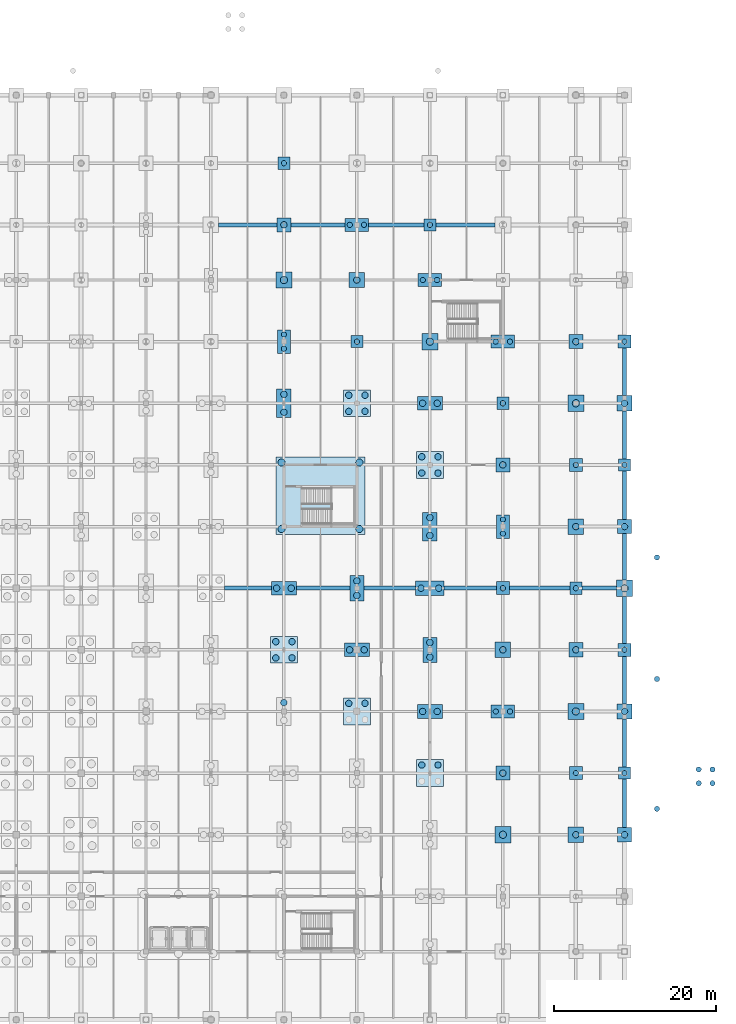
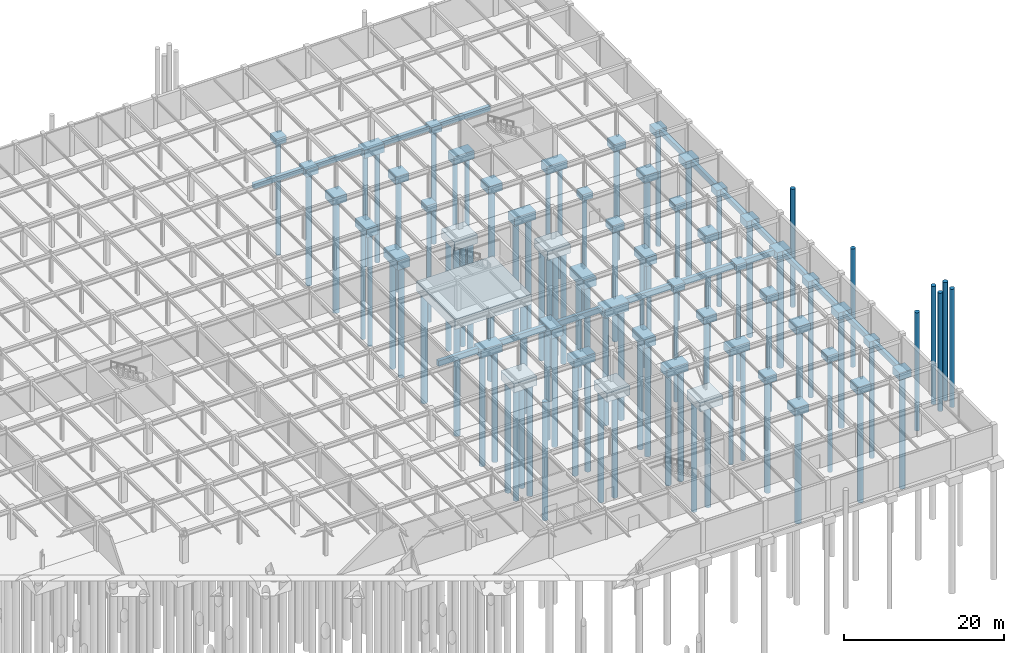
# One storey, part 7 of 53: 89 piles, 70 footings.
"""IFC4 building model written with IfcOpenShell, lengths in metres."""

from ifc_helpers import new_model, si_unit, direction, frame, origin, origin_2d, place, context, subcontext, project, spatial, rectangle, circle, extrude, material, material_profile, profile_set, type_object, element, save


model = new_model("IFC4")

# Units and contexts
model_context = context("Model", 3, precision=1e-05, world=origin(), true_north=direction((0.0, 1.0)))
body_context = subcontext(model_context, "Body", "Model", "MODEL_VIEW")
ifc_project = project(units=[si_unit("LENGTHUNIT", "METRE"), si_unit("AREAUNIT", "SQUARE_METRE"), si_unit("VOLUMEUNIT", "CUBIC_METRE"), si_unit("PLANEANGLEUNIT", "RADIAN"), si_unit("MASSUNIT", "GRAM", prefix="KILO")], contexts=[model_context])

# Site, building, storey
site_placement = place(None, origin())
site = spatial("IfcSite", under=ifc_project, at=site_placement, CompositionType="ELEMENT")
building_placement = place(site_placement, origin())
building = spatial("IfcBuilding", under=site, at=building_placement, Name="Shalkamar Park Central Library", CompositionType="ELEMENT")
storey_placement = place(building_placement, frame((0.0, 0.0, -4.800048828125)))
storey = spatial("IfcBuildingStorey", under=building, at=storey_placement, Name="B1", CompositionType="ELEMENT", Elevation=-4.800048828125)

# Piles
ifc_material = material(Name="Concrete C35/45", Category="concrete")
ifc_material_profile_1 = material_profile(ifc_material, circle(Radius=0.324951171875, at=origin_2d()), Name="PILE D650")
ifc_profile_set_1 = profile_set([ifc_material_profile_1], Name="Concrete C35/45")
pile_type_1 = type_object("IfcPileType", Name="Bored Concrete Pile D650", PredefinedType="BORED", material=ifc_profile_set_1)
for number, where, z_axis, x_axis, name in (
    (1, (246.0, 322.72509765625, -0.800048828125), (0.0, 0.0, -1.0), (1.0, 0.0, 0.0), "Bored Pile FC-17-M-P01"),
    (2, (246.0, 324.47509765625, -0.800048828125), (0.0, 0.0, -1.0), (1.0, 0.0, 0.0), "Bored Pile FC-17-M-P02"),
    (3, (246.0, 345.60009765625, -0.800048828125), (0.0, 0.0, -1.0), (1.0, 0.0, 0.0), "Bored Pile FC-17-Q-P01"),
    (4, (255.0, 323.60009765625, -0.800048828125), (0.0, 0.0, -1.0), (1.0, 0.0, 0.0), "Bored Pile FC-18-M-P01"),
    (5, (254.125, 338.0, -0.800048828125), (0.0, 0.0, -1.0), (1.0, 0.0, 0.0), "Bored Pile FC-18-P-P01"),
    (6, (255.875, 338.0, -0.800048828125), (0.0, 0.0, -1.0), (1.0, 0.0, 0.0), "Bored Pile FC-18-P-P02"),
    (7, (263.125, 331.199951171875, -0.800048828125), (0.0, 0.0, -1.0), (1.0, 0.0, 0.0), "Bored Pile FC-19-N-P01"),
    (8, (264.875, 331.199951171875, -0.800048828125), (0.0, 0.0, -1.0), (1.0, 0.0, 0.0), "Bored Pile FC-19-N-P02"),
    (9, (264.0, 338.0, -0.800048828125), (0.0, 0.0, -1.0), (1.0, 0.0, 0.0), "Bored Pile FC-19-P-P01"),
    (10, (272.125, 278.0, -0.800048828125), (0.0, 0.0, -1.0), (1.0, 0.0, 0.0), "Bored Pile FC-20-F-P01"),
    (11, (273.875, 278.0, -0.800048828125), (0.0, 0.0, -1.0), (1.0, 0.0, 0.0), "Bored Pile FC-20-F-P02"),
    (12, (273.0, 293.199951171875, -0.800048828125), (0.0, 0.0, -1.0), (1.0, 0.0, 0.0), "Bored Pile FC-20-H-P01"),
    (13, (273.0, 299.925048828125, -0.800048828125), (0.0, 0.0, -1.0), (1.0, 0.0, 0.0), "Bored Pile FC-20-J-P01"),
    (14, (273.0, 301.675048828125, -0.800048828125), (0.0, 0.0, -1.0), (1.0, 0.0, 0.0), "Bored Pile FC-20-J-P02"),
    (15, (273.0, 316.0, -0.800048828125), (0.0, 0.0, -1.0), (1.0, 0.0, 0.0), "Bored Pile FC-20-L-P01"),
    (16, (272.125, 323.60009765625, -0.800048828125), (0.0, 0.0, -1.0), (1.0, 0.0, 0.0), "Bored Pile FC-20-M-P01"),
    (17, (273.875, 323.60009765625, -0.800048828125), (0.0, 0.0, -1.0), (1.0, 0.0, 0.0), "Bored Pile FC-20-M-P02"),
    (18, (282.0, 270.39990234375, -0.800048828125), (0.0, 0.0, -1.0), (1.0, 0.0, 0.0), "Bored Pile FC-21-E-P01"),
    (19, (282.0, 293.199951171875, -0.800048828125), (0.0, 0.0, -1.0), (1.0, 0.0, 0.0), "Bored Pile FC-21-H-P01"),
    (20, (282.0, 308.39990234375, -0.800048828125), (0.0, 0.0, -1.0), (1.0, 0.0, 0.0), "Bored Pile FC-21-K-P01"),
    (21, (288.0, 270.39990234375, -0.800048828125), (0.0, 0.0, -1.0), (1.0, 0.0, 0.0), "Bored Pile FC-22-E-P01"),
    (22, (288.0, 285.60009765625, -0.800048828125), (0.0, 0.0, -1.0), (1.0, 0.0, 0.0), "Bored Pile FC-22-G-P01"),
    (23, (288.0, 308.39990234375, -0.800048828125), (0.0, 0.0, -1.0), (1.0, 0.0, 0.0), "Bored Pile FC-22-K-P01"),
    (24, (288.0, 323.60009765625, -0.800048828125), (0.0, 0.0, -1.0), (1.0, 0.0, 0.0), "Bored Pile FC-22-M-P01"),
    (25, (292.0, 266.0, 4.650146484375), (0.0, 0.0, -1.0), (1.0, 0.0, 0.0), "Entrance Apron Pile 01"),
    (26, (292.0, 282.0, 4.650146484375), (0.0, 0.0, -1.0), (1.0, 0.0, 0.0), "Entrance Apron Pile 02"),
    (27, (292.0, 297.0, 4.650146484375), (0.0, 0.0, -1.0), (1.0, 0.0, 0.0), "Entrance Apron Pile 03"),
    (28, (297.14990234375, 269.14990234375, 3.920166015625), (0.0, 0.0, -1.0), (1.0, 0.0, 0.0), "Approach Ramp Pile 06-1"),
    (29, (298.85009765625, 269.14990234375, 3.920166015625), (0.0, 0.0, -1.0), (1.0, 0.0, 0.0), "Approach Ramp Pile 06-2"),
    (30, (298.85009765625, 270.85009765625, 3.920166015625), (0.0, 0.0, -1.0), (1.0, 0.0, 0.0), "Approach Ramp Pile 06-3"),
    (31, (297.14990234375, 270.85009765625, 3.920166015625), (0.0, 0.0, -1.0), (1.0, 0.0, 0.0), "Approach Ramp Pile 06-4"),
):
    element("IfcPile", number, at=place(storey_placement, frame(where, z_axis=z_axis, x_axis=x_axis)), inside=storey, type_object=pile_type_1, Name=name, PredefinedType="BORED", context=body_context, shape_type="SweptSolid", body=[
        extrude(circle(Radius=0.324951171875, at=origin_2d()), origin(), (0.0, 0.0, 1.0), 18.0),
    ])
ifc_material_profile_2 = material_profile(ifc_material, circle(Radius=0.39990234375, at=origin_2d()), Name="PILE D800")
ifc_profile_set_2 = profile_set([ifc_material_profile_2], Name="Concrete C35/45")
pile_type_2 = type_object("IfcPileType", Name="Bored Concrete Pile D800", PredefinedType="BORED", material=ifc_profile_set_2)
for number, where, z_axis, x_axis, name in (
    (32, (246.0, 279.10009765625, -0.800048828125), (0.0, 0.0, -1.0), (1.0, 0.0, 0.0), "Bored Pile FC-17-F-P02"),
    (33, (245.0, 284.60009765625, -0.800048828125), (0.0, 0.0, -1.0), (1.0, 0.0, 0.0), "Bored Pile FC-17-G-P01"),
    (34, (245.0, 286.60009765625, -0.800048828125), (0.0, 0.0, -1.0), (1.0, 0.0, 0.0), "Bored Pile FC-17-G-P02"),
    (35, (247.0, 284.60009765625, -0.800048828125), (0.0, 0.0, -1.0), (1.0, 0.0, 0.0), "Bored Pile FC-17-G-P03"),
    (36, (247.0, 286.60009765625, -0.800048828125), (0.0, 0.0, -1.0), (1.0, 0.0, 0.0), "Bored Pile FC-17-G-P04"),
    (37, (245.10009765625, 293.199951171875, -0.800048828125), (0.0, 0.0, -1.0), (1.0, 0.0, 0.0), "Bored Pile FC-17-H-P01"),
    (38, (246.89990234375, 293.199951171875, -0.800048828125), (0.0, 0.0, -1.0), (1.0, 0.0, 0.0), "Bored Pile FC-17-H-P02"),
    (39, (246.0, 314.89990234375, -0.800048828125), (0.0, 0.0, -1.0), (1.0, 0.0, 0.0), "Bored Pile FC-17-L-P01"),
    (40, (246.0, 317.10009765625, -0.800048828125), (0.0, 0.0, -1.0), (1.0, 0.0, 0.0), "Bored Pile FC-17-L-P02"),
    (41, (246.0, 338.0, -0.800048828125), (0.0, 0.0, -1.0), (1.0, 0.0, 0.0), "Bored Pile FC-17-P-P01"),
    (42, (254.0, 279.0, -0.800048828125), (0.0, 0.0, -1.0), (1.0, 0.0, 0.0), "Bored Pile FC-18-F-P02"),
    (43, (256.0, 279.0, -0.800048828125), (0.0, 0.0, -1.0), (1.0, 0.0, 0.0), "Bored Pile FC-18-F-P04"),
    (44, (254.10009765625, 285.60009765625, -0.800048828125), (0.0, 0.0, -1.0), (1.0, 0.0, 0.0), "Bored Pile FC-18-G-P01"),
    (45, (255.89990234375, 285.60009765625, -0.800048828125), (0.0, 0.0, -1.0), (1.0, 0.0, 0.0), "Bored Pile FC-18-G-P02"),
    (46, (255.0, 292.300048828125, -0.800048828125), (0.0, 0.0, -1.0), (1.0, 0.0, 0.0), "Bored Pile FC-18-H-P01"),
    (47, (255.0, 294.10009765625, -0.800048828125), (0.0, 0.0, -1.0), (1.0, 0.0, 0.0), "Bored Pile FC-18-H-P02"),
    (48, (254.0, 315.0, -0.800048828125), (0.0, 0.0, -1.0), (1.0, 0.0, 0.0), "Bored Pile FC-18-L-P01"),
    (49, (254.0, 317.0, -0.800048828125), (0.0, 0.0, -1.0), (1.0, 0.0, 0.0), "Bored Pile FC-18-L-P02"),
    (50, (256.0, 315.0, -0.800048828125), (0.0, 0.0, -1.0), (1.0, 0.0, 0.0), "Bored Pile FC-18-L-P03"),
    (51, (256.0, 317.0, -0.800048828125), (0.0, 0.0, -1.0), (1.0, 0.0, 0.0), "Bored Pile FC-18-L-P04"),
    (52, (255.0, 331.199951171875, -0.800048828125), (0.0, 0.0, -1.0), (1.0, 0.0, 0.0), "Bored Pile FC-18-N-P01"),
    (53, (263.0, 271.39990234375, -0.800048828125), (0.0, 0.0, -1.0), (1.0, 0.0, 0.0), "Bored Pile FC-19-E-P02"),
    (54, (265.0, 271.39990234375, -0.800048828125), (0.0, 0.0, -1.0), (1.0, 0.0, 0.0), "Bored Pile FC-19-E-P04"),
    (55, (263.10009765625, 278.0, -0.800048828125), (0.0, 0.0, -1.0), (1.0, 0.0, 0.0), "Bored Pile FC-19-F-P01"),
    (56, (264.89990234375, 278.0, -0.800048828125), (0.0, 0.0, -1.0), (1.0, 0.0, 0.0), "Bored Pile FC-19-F-P02"),
    (57, (264.0, 284.699951171875, -0.800048828125), (0.0, 0.0, -1.0), (1.0, 0.0, 0.0), "Bored Pile FC-19-G-P01"),
    (58, (264.0, 286.5, -0.800048828125), (0.0, 0.0, -1.0), (1.0, 0.0, 0.0), "Bored Pile FC-19-G-P02"),
    (59, (262.89990234375, 293.199951171875, -0.800048828125), (0.0, 0.0, -1.0), (1.0, 0.0, 0.0), "Bored Pile FC-19-H-P01"),
    (60, (265.10009765625, 293.199951171875, -0.800048828125), (0.0, 0.0, -1.0), (1.0, 0.0, 0.0), "Bored Pile FC-19-H-P02"),
    (61, (264.0, 299.699951171875, -0.800048828125), (0.0, 0.0, -1.0), (1.0, 0.0, 0.0), "Bored Pile FC-19-J-P01"),
    (62, (264.0, 301.89990234375, -0.800048828125), (0.0, 0.0, -1.0), (1.0, 0.0, 0.0), "Bored Pile FC-19-J-P02"),
    (63, (263.0, 307.39990234375, -0.800048828125), (0.0, 0.0, -1.0), (1.0, 0.0, 0.0), "Bored Pile FC-19-K-P01"),
    (64, (263.0, 309.39990234375, -0.800048828125), (0.0, 0.0, -1.0), (1.0, 0.0, 0.0), "Bored Pile FC-19-K-P02"),
    (65, (265.0, 307.39990234375, -0.800048828125), (0.0, 0.0, -1.0), (1.0, 0.0, 0.0), "Bored Pile FC-19-K-P03"),
    (66, (265.0, 309.39990234375, -0.800048828125), (0.0, 0.0, -1.0), (1.0, 0.0, 0.0), "Bored Pile FC-19-K-P04"),
    (67, (263.10009765625, 316.0, -0.800048828125), (0.0, 0.0, -1.0), (1.0, 0.0, 0.0), "Bored Pile FC-19-L-P01"),
    (68, (264.89990234375, 316.0, -0.800048828125), (0.0, 0.0, -1.0), (1.0, 0.0, 0.0), "Bored Pile FC-19-L-P02"),
    (69, (273.0, 270.39990234375, -0.800048828125), (0.0, 0.0, -1.0), (1.0, 0.0, 0.0), "Bored Pile FC-20-E-P01"),
    (70, (273.0, 285.60009765625, -0.800048828125), (0.0, 0.0, -1.0), (1.0, 0.0, 0.0), "Bored Pile FC-20-G-P01"),
    (71, (273.0, 308.39990234375, -0.800048828125), (0.0, 0.0, -1.0), (1.0, 0.0, 0.0), "Bored Pile FC-20-K-P01"),
    (72, (282.0, 262.800048828125, -0.800048828125), (0.0, 0.0, -1.0), (1.0, 0.0, 0.0), "Bored Pile FC-21-D-P01"),
    (73, (282.0, 285.60009765625, -0.800048828125), (0.0, 0.0, -1.0), (1.0, 0.0, 0.0), "Bored Pile FC-21-G-P01"),
    (74, (282.0, 300.800048828125, -0.800048828125), (0.0, 0.0, -1.0), (1.0, 0.0, 0.0), "Bored Pile FC-21-J-P01"),
    (75, (282.0, 323.60009765625, -0.800048828125), (0.0, 0.0, -1.0), (1.0, 0.0, 0.0), "Bored Pile FC-21-M-P01"),
    (76, (288.0, 262.800048828125, -0.800048828125), (0.0, 0.0, -1.0), (1.0, 0.0, 0.0), "Bored Pile FC-22-D-P01"),
    (77, (288.0, 278.0, -0.800048828125), (0.0, 0.0, -1.0), (1.0, 0.0, 0.0), "Bored Pile FC-22-F-P01"),
    (78, (288.0, 300.800048828125, -0.800048828125), (0.0, 0.0, -1.0), (1.0, 0.0, 0.0), "Bored Pile FC-22-J-P01"),
    (79, (288.0, 316.0, -0.800048828125), (0.0, 0.0, -1.0), (1.0, 0.0, 0.0), "Bored Pile FC-22-L-P01"),
):
    element("IfcPile", number, at=place(storey_placement, frame(where, z_axis=z_axis, x_axis=x_axis)), inside=storey, type_object=pile_type_2, Name=name, PredefinedType="BORED", context=body_context, shape_type="SweptSolid", body=[
        extrude(circle(Radius=0.39990234375, at=origin_2d()), origin(), (0.0, 0.0, 1.0), 18.0),
    ])
ifc_material_profile_3 = material_profile(ifc_material, circle(Radius=0.449951171875, at=origin_2d()), Name="PILE D900")
ifc_profile_set_3 = profile_set([ifc_material_profile_3], Name="Concrete C35/45")
pile_type_3 = type_object("IfcPileType", Name="Bored Concrete Pile D900", PredefinedType="BORED", material=ifc_profile_set_3)
for number, where, z_axis, x_axis, name in (
    (80, (245.699951171875, 300.5, -0.800048828125), (0.0, 0.0, -1.0), (1.0, 0.0, 0.0), "Bored Pile FC-CORE-P4-P01"),
    (81, (245.699951171875, 308.699951171875, -0.800048828125), (0.0, 0.0, -1.0), (1.0, 0.0, 0.0), "Bored Pile FC-CORE-P4-P02"),
    (82, (255.300048828125, 300.5, -0.800048828125), (0.0, 0.0, -1.0), (1.0, 0.0, 0.0), "Bored Pile FC-CORE-P4-P03"),
    (83, (255.300048828125, 308.699951171875, -0.800048828125), (0.0, 0.0, -1.0), (1.0, 0.0, 0.0), "Bored Pile FC-CORE-P4-P04"),
    (84, (246.0, 331.199951171875, -0.800048828125), (0.0, 0.0, -1.0), (1.0, 0.0, 0.0), "Bored Pile FC-17-N-P01"),
    (85, (264.0, 323.60009765625, -0.800048828125), (0.0, 0.0, -1.0), (1.0, 0.0, 0.0), "Bored Pile FC-19-M-P01"),
    (86, (273.0, 262.800048828125, -0.800048828125), (0.0, 0.0, -1.0), (1.0, 0.0, 0.0), "Bored Pile FC-20-D-P01"),
    (87, (282.0, 278.0, -0.800048828125), (0.0, 0.0, -1.0), (1.0, 0.0, 0.0), "Bored Pile FC-21-F-P01"),
    (88, (282.0, 316.0, -0.800048828125), (0.0, 0.0, -1.0), (1.0, 0.0, 0.0), "Bored Pile FC-21-L-P01"),
    (89, (288.0, 293.199951171875, -0.800048828125), (0.0, 0.0, -1.0), (1.0, 0.0, 0.0), "Bored Pile FC-22-H-P01"),
):
    element("IfcPile", number, at=place(storey_placement, frame(where, z_axis=z_axis, x_axis=x_axis)), inside=storey, type_object=pile_type_3, Name=name, PredefinedType="BORED", context=body_context, shape_type="SweptSolid", body=[
        extrude(circle(Radius=0.449951171875, at=origin_2d()), origin(), (0.0, 0.0, 1.0), 18.0),
    ])

# Footings
footing_type_1 = type_object("IfcFootingType", Name="Ground Tie Beam 500x750", PredefinedType="FOOTING_BEAM", material=ifc_material)
footing_1_placement = place(storey_placement, frame((241.53759765625, 338.0, -1.349853515625), z_axis=(0.0, 0.0, 1.0), x_axis=(1.0, 0.0, 0.0)))
element("IfcFooting", 90, at=footing_1_placement, inside=storey, type_object=footing_type_1, Name="Ground Tie Beam TB-X-16-P", PredefinedType="FOOTING_BEAM", context=body_context, shape_type="SweptSolid", body=[
    extrude(rectangle(XDim=7.175048828125, YDim=0.5, at=origin_2d()), origin(), (0.0, 0.0, 1.0), 0.75),
])
footing_2_placement = place(storey_placement, frame((250.21240234375, 338.0, -1.349853515625), z_axis=(0.0, 0.0, 1.0), x_axis=(1.0, 0.0, 0.0)))
element("IfcFooting", 91, at=footing_2_placement, inside=storey, type_object=footing_type_1, Name="Ground Tie Beam TB-X-17-P", PredefinedType="FOOTING_BEAM", context=body_context, shape_type="SweptSolid", body=[
    extrude(rectangle(XDim=6.675048828125, YDim=0.5, at=origin_2d()), origin(), (0.0, 0.0, 1.0), 0.75),
])
footing_3_placement = place(storey_placement, frame((259.85009765625, 338.0, -1.349853515625), z_axis=(0.0, 0.0, 1.0), x_axis=(1.0, 0.0, 0.0)))
element("IfcFooting", 92, at=footing_3_placement, inside=storey, type_object=footing_type_1, Name="Ground Tie Beam TB-X-18-P", PredefinedType="FOOTING_BEAM", context=body_context, shape_type="SweptSolid", body=[
    extrude(rectangle(XDim=6.800048828125, YDim=0.5, at=origin_2d()), origin(), (0.0, 0.0, 1.0), 0.75),
])
footing_4_placement = place(storey_placement, frame((268.375, 338.0, -1.349853515625), z_axis=(0.0, 0.0, 1.0), x_axis=(1.0, 0.0, 0.0)))
element("IfcFooting", 93, at=footing_4_placement, inside=storey, type_object=footing_type_1, Name="Ground Tie Beam TB-X-19-P", PredefinedType="FOOTING_BEAM", context=body_context, shape_type="SweptSolid", body=[
    extrude(rectangle(XDim=7.25, YDim=0.5, at=origin_2d()), origin(), (0.0, 0.0, 1.0), 0.75),
])
footing_type_2 = type_object("IfcFootingType", Name="Ground Tie Beam 500x800", PredefinedType="FOOTING_BEAM", material=ifc_material)
footing_5_placement = place(storey_placement, frame((288.0, 266.66259765625, -1.39990234375), z_axis=(0.0, 0.0, 1.0), x_axis=(0.0, 1.0, 0.0)))
element("IfcFooting", 94, at=footing_5_placement, inside=storey, type_object=footing_type_2, Name="Ground Tie Beam TB-Y-22-D", PredefinedType="FOOTING_BEAM", context=body_context, shape_type="SweptSolid", body=[
    extrude(rectangle(XDim=5.97509765625, YDim=0.5, at=origin_2d()), origin(), (0.0, 0.0, 1.0), 0.800048828125),
])
footing_6_placement = place(storey_placement, frame((288.0, 274.10009765625, -1.39990234375), z_axis=(0.0, 0.0, 1.0), x_axis=(0.0, 1.0, 0.0)))
element("IfcFooting", 95, at=footing_6_placement, inside=storey, type_object=footing_type_2, Name="Ground Tie Beam TB-Y-22-E", PredefinedType="FOOTING_BEAM", context=body_context, shape_type="SweptSolid", body=[
    extrude(rectangle(XDim=5.89990234375, YDim=0.5, at=origin_2d()), origin(), (0.0, 0.0, 1.0), 0.800048828125),
])
footing_7_placement = place(storey_placement, frame((288.0, 281.875, -1.39990234375), z_axis=(0.0, 0.0, 1.0), x_axis=(0.0, 1.0, 0.0)))
element("IfcFooting", 96, at=footing_7_placement, inside=storey, type_object=footing_type_2, Name="Ground Tie Beam TB-Y-22-F", PredefinedType="FOOTING_BEAM", context=body_context, shape_type="SweptSolid", body=[
    extrude(rectangle(XDim=5.85009765625, YDim=0.5, at=origin_2d()), origin(), (0.0, 0.0, 1.0), 0.800048828125),
])
footing_8_placement = place(storey_placement, frame((288.0, 289.300048828125, -1.39990234375), z_axis=(0.0, 0.0, 1.0), x_axis=(0.0, 1.0, 0.0)))
element("IfcFooting", 97, at=footing_8_placement, inside=storey, type_object=footing_type_2, Name="Ground Tie Beam TB-Y-22-G", PredefinedType="FOOTING_BEAM", context=body_context, shape_type="SweptSolid", body=[
    extrude(rectangle(XDim=5.800048828125, YDim=0.5, at=origin_2d()), origin(), (0.0, 0.0, 1.0), 0.800048828125),
])
footing_9_placement = place(storey_placement, frame((288.0, 297.0625, -1.39990234375), z_axis=(0.0, 0.0, 1.0), x_axis=(0.0, 1.0, 0.0)))
element("IfcFooting", 98, at=footing_9_placement, inside=storey, type_object=footing_type_2, Name="Ground Tie Beam TB-Y-22-H", PredefinedType="FOOTING_BEAM", context=body_context, shape_type="SweptSolid", body=[
    extrude(rectangle(XDim=5.72509765625, YDim=0.5, at=origin_2d()), origin(), (0.0, 0.0, 1.0), 0.800048828125),
])
footing_10_placement = place(storey_placement, frame((288.0, 304.66259765625, -1.39990234375), z_axis=(0.0, 0.0, 1.0), x_axis=(0.0, 1.0, 0.0)))
element("IfcFooting", 99, at=footing_10_placement, inside=storey, type_object=footing_type_2, Name="Ground Tie Beam TB-Y-22-J", PredefinedType="FOOTING_BEAM", context=body_context, shape_type="SweptSolid", body=[
    extrude(rectangle(XDim=5.97509765625, YDim=0.5, at=origin_2d()), origin(), (0.0, 0.0, 1.0), 0.800048828125),
])
footing_11_placement = place(storey_placement, frame((288.0, 312.10009765625, -1.39990234375), z_axis=(0.0, 0.0, 1.0), x_axis=(0.0, 1.0, 0.0)))
element("IfcFooting", 100, at=footing_11_placement, inside=storey, type_object=footing_type_2, Name="Ground Tie Beam TB-Y-22-K", PredefinedType="FOOTING_BEAM", context=body_context, shape_type="SweptSolid", body=[
    extrude(rectangle(XDim=5.89990234375, YDim=0.5, at=origin_2d()), origin(), (0.0, 0.0, 1.0), 0.800048828125),
])
footing_12_placement = place(storey_placement, frame((288.0, 319.875, -1.39990234375), z_axis=(0.0, 0.0, 1.0), x_axis=(0.0, 1.0, 0.0)))
element("IfcFooting", 101, at=footing_12_placement, inside=storey, type_object=footing_type_2, Name="Ground Tie Beam TB-Y-22-L", PredefinedType="FOOTING_BEAM", context=body_context, shape_type="SweptSolid", body=[
    extrude(rectangle(XDim=5.85009765625, YDim=0.5, at=origin_2d()), origin(), (0.0, 0.0, 1.0), 0.800048828125),
])
footing_type_3 = type_object("IfcFootingType", Name="Ground Tie Beam 500x850", PredefinedType="FOOTING_BEAM", material=ifc_material)
footing_13_placement = place(storey_placement, frame((241.550048828125, 293.199951171875, -1.449951171875), z_axis=(0.0, 0.0, 1.0), x_axis=(1.0, 0.0, 0.0)))
element("IfcFooting", 102, at=footing_13_placement, inside=storey, type_object=footing_type_3, Name="Ground Tie Beam TB-X-16-H", PredefinedType="FOOTING_BEAM", context=body_context, shape_type="SweptSolid", body=[
    extrude(rectangle(XDim=5.800048828125, YDim=0.5, at=origin_2d()), origin(), (0.0, 0.0, 1.0), 0.85009765625),
])
footing_14_placement = place(storey_placement, frame((250.85009765625, 293.199951171875, -1.449951171875), z_axis=(0.0, 0.0, 1.0), x_axis=(1.0, 0.0, 0.0)))
element("IfcFooting", 103, at=footing_14_placement, inside=storey, type_object=footing_type_3, Name="Ground Tie Beam TB-X-17-H", PredefinedType="FOOTING_BEAM", context=body_context, shape_type="SweptSolid", body=[
    extrude(rectangle(XDim=6.60009765625, YDim=0.5, at=origin_2d()), origin(), (0.0, 0.0, 1.0), 0.85009765625),
])
footing_15_placement = place(storey_placement, frame((259.050048828125, 293.199951171875, -1.449951171875), z_axis=(0.0, 0.0, 1.0), x_axis=(1.0, 0.0, 0.0)))
element("IfcFooting", 104, at=footing_15_placement, inside=storey, type_object=footing_type_3, Name="Ground Tie Beam TB-X-18-H", PredefinedType="FOOTING_BEAM", context=body_context, shape_type="SweptSolid", body=[
    extrude(rectangle(XDim=6.39990234375, YDim=0.5, at=origin_2d()), origin(), (0.0, 0.0, 1.0), 0.85009765625),
])
footing_16_placement = place(storey_placement, frame((268.97509765625, 293.199951171875, -1.449951171875), z_axis=(0.0, 0.0, 1.0), x_axis=(1.0, 0.0, 0.0)))
element("IfcFooting", 105, at=footing_16_placement, inside=storey, type_object=footing_type_3, Name="Ground Tie Beam TB-X-19-H", PredefinedType="FOOTING_BEAM", context=body_context, shape_type="SweptSolid", body=[
    extrude(rectangle(XDim=6.449951171875, YDim=0.5, at=origin_2d()), origin(), (0.0, 0.0, 1.0), 0.85009765625),
])
footing_17_placement = place(storey_placement, frame((277.52490234375, 293.199951171875, -1.449951171875), z_axis=(0.0, 0.0, 1.0), x_axis=(1.0, 0.0, 0.0)))
element("IfcFooting", 106, at=footing_17_placement, inside=storey, type_object=footing_type_3, Name="Ground Tie Beam TB-X-20-H", PredefinedType="FOOTING_BEAM", context=body_context, shape_type="SweptSolid", body=[
    extrude(rectangle(XDim=7.449951171875, YDim=0.5, at=origin_2d()), origin(), (0.0, 0.0, 1.0), 0.85009765625),
])
footing_18_placement = place(storey_placement, frame((284.875, 293.199951171875, -1.449951171875), z_axis=(0.0, 0.0, 1.0), x_axis=(1.0, 0.0, 0.0)))
element("IfcFooting", 107, at=footing_18_placement, inside=storey, type_object=footing_type_3, Name="Ground Tie Beam TB-X-21-H", PredefinedType="FOOTING_BEAM", context=body_context, shape_type="SweptSolid", body=[
    extrude(rectangle(XDim=4.25, YDim=0.5, at=origin_2d()), origin(), (0.0, 0.0, 1.0), 0.85009765625),
])
footing_type_4 = type_object("IfcFootingType", Name="Reinforced Concrete Pile Cap 1100x960x155", PredefinedType="PILE_CAP", material=ifc_material)
footing_19_placement = place(storey_placement, frame((250.5, 304.60009765625, -2.14990234375), z_axis=(0.0, 0.0, 1.0), x_axis=(1.0, 0.0, 0.0)))
element("IfcFooting", 108, at=footing_19_placement, inside=storey, type_object=footing_type_4, Name="Pile Cap FC-06", PredefinedType="PILE_CAP", context=body_context, shape_type="SweptSolid", body=[
    extrude(rectangle(XDim=11.0, YDim=9.60009765625, at=origin_2d()), origin(), (0.0, 0.0, 1.0), 1.550048828125),
])
footing_type_5 = type_object("IfcFootingType", Name="Reinforced Concrete Pile Cap 150x150x100", PredefinedType="PILE_CAP", material=ifc_material)
for number, where, z_axis, x_axis, name in (
    (109, (246.0, 345.60009765625, -1.599853515625), (0.0, 0.0, 1.0), (1.0, 0.0, 0.0), "Pile Cap FC-09"),
    (110, (255.0, 323.60009765625, -1.599853515625), (0.0, 0.0, 1.0), (1.0, 0.0, 0.0), "Pile Cap FC-09"),
    (111, (264.0, 338.0, -1.599853515625), (0.0, 0.0, 1.0), (1.0, 0.0, 0.0), "Pile Cap FC-09"),
    (112, (273.0, 316.0, -1.599853515625), (0.0, 0.0, 1.0), (1.0, 0.0, 0.0), "Pile Cap FC-09"),
    (113, (282.0, 293.199951171875, -1.599853515625), (0.0, 0.0, 1.0), (1.0, 0.0, 0.0), "Pile Cap FC-09"),
    (114, (288.0, 270.39990234375, -1.599853515625), (0.0, 0.0, 1.0), (1.0, 0.0, 0.0), "Pile Cap FC-09"),
    (115, (288.0, 308.39990234375, -1.599853515625), (0.0, 0.0, 1.0), (1.0, 0.0, 0.0), "Pile Cap FC-09"),
):
    element("IfcFooting", number, at=place(storey_placement, frame(where, z_axis=z_axis, x_axis=x_axis)), inside=storey, type_object=footing_type_5, Name=name, PredefinedType="PILE_CAP", context=body_context, shape_type="SweptSolid", body=[
        extrude(rectangle(XDim=1.5, YDim=1.5, at=origin_2d()), origin(), (0.0, 0.0, 1.0), 1.0),
    ])
footing_type_6 = type_object("IfcFootingType", Name="Reinforced Concrete Pile Cap 160x160x105", PredefinedType="PILE_CAP", material=ifc_material)
for number, where, z_axis, x_axis, name in (
    (116, (273.0, 293.199951171875, -1.64990234375), (0.0, 0.0, 1.0), (1.0, 0.0, 0.0), "Pile Cap FC-11"),
    (117, (282.0, 270.39990234375, -1.64990234375), (0.0, 0.0, 1.0), (1.0, 0.0, 0.0), "Pile Cap FC-11"),
    (118, (282.0, 308.39990234375, -1.64990234375), (0.0, 0.0, 1.0), (1.0, 0.0, 0.0), "Pile Cap FC-11"),
    (119, (288.0, 285.60009765625, -1.64990234375), (0.0, 0.0, 1.0), (1.0, 0.0, 0.0), "Pile Cap FC-11"),
    (120, (288.0, 323.60009765625, -1.64990234375), (0.0, 0.0, 1.0), (1.0, 0.0, 0.0), "Pile Cap FC-11"),
):
    element("IfcFooting", number, at=place(storey_placement, frame(where, z_axis=z_axis, x_axis=x_axis)), inside=storey, type_object=footing_type_6, Name=name, PredefinedType="PILE_CAP", context=body_context, shape_type="SweptSolid", body=[
        extrude(rectangle(XDim=1.60009765625, YDim=1.60009765625, at=origin_2d()), origin(), (0.0, 0.0, 1.0), 1.050048828125),
    ])
footing_type_7 = type_object("IfcFootingType", Name="Reinforced Concrete Pile Cap 160x290x125", PredefinedType="PILE_CAP", material=ifc_material)
for number, where, z_axis, x_axis, name in (
    (121, (246.0, 323.60009765625, -1.849853515625), (0.0, 0.0, 1.0), (1.0, 0.0, 0.0), "Pile Cap FC-12"),
    (122, (273.0, 300.800048828125, -1.849853515625), (0.0, 0.0, 1.0), (1.0, 0.0, 0.0), "Pile Cap FC-12"),
):
    element("IfcFooting", number, at=place(storey_placement, frame(where, z_axis=z_axis, x_axis=x_axis)), inside=storey, type_object=footing_type_7, Name=name, PredefinedType="PILE_CAP", context=body_context, shape_type="SweptSolid", body=[
        extrude(rectangle(XDim=1.60009765625, YDim=2.89990234375, at=origin_2d()), origin(), (0.0, 0.0, 1.0), 1.25),
    ])
footing_type_8 = type_object("IfcFootingType", Name="Reinforced Concrete Pile Cap 170x310x130", PredefinedType="PILE_CAP", material=ifc_material)
for number, where, z_axis, x_axis, name in (
    (123, (255.0, 293.199951171875, -1.89990234375), (0.0, 0.0, 1.0), (1.0, 0.0, 0.0), "Pile Cap FC-15"),
    (124, (264.0, 285.60009765625, -1.89990234375), (0.0, 0.0, 1.0), (1.0, 0.0, 0.0), "Pile Cap FC-15"),
):
    element("IfcFooting", number, at=place(storey_placement, frame(where, z_axis=z_axis, x_axis=x_axis)), inside=storey, type_object=footing_type_8, Name=name, PredefinedType="PILE_CAP", context=body_context, shape_type="SweptSolid", body=[
        extrude(rectangle(XDim=1.699951171875, YDim=3.10009765625, at=origin_2d()), origin(), (0.0, 0.0, 1.0), 1.300048828125),
    ])
footing_type_9 = type_object("IfcFootingType", Name="Reinforced Concrete Pile Cap 175x175x110", PredefinedType="PILE_CAP", material=ifc_material)
for number, where, z_axis, x_axis, name in (
    (125, (246.0, 338.0, -1.699951171875), (0.0, 0.0, 1.0), (1.0, 0.0, 0.0), "Pile Cap FC-08"),
    (126, (273.0, 270.39990234375, -1.699951171875), (0.0, 0.0, 1.0), (1.0, 0.0, 0.0), "Pile Cap FC-08"),
    (127, (273.0, 308.39990234375, -1.699951171875), (0.0, 0.0, 1.0), (1.0, 0.0, 0.0), "Pile Cap FC-08"),
    (128, (282.0, 285.60009765625, -1.699951171875), (0.0, 0.0, 1.0), (1.0, 0.0, 0.0), "Pile Cap FC-08"),
    (129, (282.0, 323.60009765625, -1.699951171875), (0.0, 0.0, 1.0), (1.0, 0.0, 0.0), "Pile Cap FC-08"),
    (130, (288.0, 262.800048828125, -1.699951171875), (0.0, 0.0, 1.0), (1.0, 0.0, 0.0), "Pile Cap FC-08"),
    (131, (288.0, 300.800048828125, -1.699951171875), (0.0, 0.0, 1.0), (1.0, 0.0, 0.0), "Pile Cap FC-08"),
):
    element("IfcFooting", number, at=place(storey_placement, frame(where, z_axis=z_axis, x_axis=x_axis)), inside=storey, type_object=footing_type_9, Name=name, PredefinedType="PILE_CAP", context=body_context, shape_type="SweptSolid", body=[
        extrude(rectangle(XDim=1.75, YDim=1.75, at=origin_2d()), origin(), (0.0, 0.0, 1.0), 1.10009765625),
    ])
footing_type_10 = type_object("IfcFootingType", Name="Reinforced Concrete Pile Cap 180x350x140", PredefinedType="PILE_CAP", material=ifc_material)
for number, where, z_axis, x_axis, name in (
    (132, (246.0, 316.0, -2.0), (0.0, 0.0, 1.0), (1.0, 0.0, 0.0), "Pile Cap FC-17"),
    (133, (264.0, 300.800048828125, -2.0), (0.0, 0.0, 1.0), (1.0, 0.0, 0.0), "Pile Cap FC-17"),
):
    element("IfcFooting", number, at=place(storey_placement, frame(where, z_axis=z_axis, x_axis=x_axis)), inside=storey, type_object=footing_type_10, Name=name, PredefinedType="PILE_CAP", context=body_context, shape_type="SweptSolid", body=[
        extrude(rectangle(XDim=1.800048828125, YDim=3.5, at=origin_2d()), origin(), (0.0, 0.0, 1.0), 1.39990234375),
    ])
footing_type_11 = type_object("IfcFootingType", Name="Reinforced Concrete Pile Cap 190x190x115", PredefinedType="PILE_CAP", material=ifc_material)
for number, where, z_axis, x_axis, name in (
    (134, (255.0, 331.199951171875, -1.75), (0.0, 0.0, 1.0), (1.0, 0.0, 0.0), "Pile Cap FC-10"),
    (135, (273.0, 285.60009765625, -1.75), (0.0, 0.0, 1.0), (1.0, 0.0, 0.0), "Pile Cap FC-10"),
    (136, (282.0, 262.800048828125, -1.75), (0.0, 0.0, 1.0), (1.0, 0.0, 0.0), "Pile Cap FC-10"),
    (137, (282.0, 300.800048828125, -1.75), (0.0, 0.0, 1.0), (1.0, 0.0, 0.0), "Pile Cap FC-10"),
    (138, (288.0, 278.0, -1.75), (0.0, 0.0, 1.0), (1.0, 0.0, 0.0), "Pile Cap FC-10"),
    (139, (288.0, 316.0, -1.75), (0.0, 0.0, 1.0), (1.0, 0.0, 0.0), "Pile Cap FC-10"),
):
    element("IfcFooting", number, at=place(storey_placement, frame(where, z_axis=z_axis, x_axis=x_axis)), inside=storey, type_object=footing_type_11, Name=name, PredefinedType="PILE_CAP", context=body_context, shape_type="SweptSolid", body=[
        extrude(rectangle(XDim=1.89990234375, YDim=1.89990234375, at=origin_2d()), origin(), (0.0, 0.0, 1.0), 1.14990234375),
    ])
footing_type_12 = type_object("IfcFootingType", Name="Reinforced Concrete Pile Cap 200x200x120", PredefinedType="PILE_CAP", material=ifc_material)
for number, where, z_axis, x_axis, name in (
    (140, (246.0, 331.199951171875, -1.7998046875), (0.0, 0.0, 1.0), (1.0, 0.0, 0.0), "Pile Cap FC-07"),
    (141, (264.0, 323.60009765625, -1.7998046875), (0.0, 0.0, 1.0), (1.0, 0.0, 0.0), "Pile Cap FC-07"),
    (142, (273.0, 262.800048828125, -1.7998046875), (0.0, 0.0, 1.0), (1.0, 0.0, 0.0), "Pile Cap FC-07"),
    (143, (282.0, 278.0, -1.7998046875), (0.0, 0.0, 1.0), (1.0, 0.0, 0.0), "Pile Cap FC-07"),
    (144, (282.0, 316.0, -1.7998046875), (0.0, 0.0, 1.0), (1.0, 0.0, 0.0), "Pile Cap FC-07"),
    (145, (288.0, 293.199951171875, -1.7998046875), (0.0, 0.0, 1.0), (1.0, 0.0, 0.0), "Pile Cap FC-07"),
):
    element("IfcFooting", number, at=place(storey_placement, frame(where, z_axis=z_axis, x_axis=x_axis)), inside=storey, type_object=footing_type_12, Name=name, PredefinedType="PILE_CAP", context=body_context, shape_type="SweptSolid", body=[
        extrude(rectangle(XDim=2.0, YDim=2.0, at=origin_2d()), origin(), (0.0, 0.0, 1.0), 1.199951171875),
    ])
footing_type_13 = type_object("IfcFootingType", Name="Reinforced Concrete Pile Cap 290x160x125", PredefinedType="PILE_CAP", material=ifc_material)
for number, where, z_axis, x_axis, name in (
    (146, (255.0, 338.0, -1.849853515625), (0.0, 0.0, 1.0), (1.0, 0.0, 0.0), "Pile Cap FC-13"),
    (147, (264.0, 331.199951171875, -1.849853515625), (0.0, 0.0, 1.0), (1.0, 0.0, 0.0), "Pile Cap FC-13"),
    (148, (273.0, 278.0, -1.849853515625), (0.0, 0.0, 1.0), (1.0, 0.0, 0.0), "Pile Cap FC-13"),
    (149, (273.0, 323.60009765625, -1.849853515625), (0.0, 0.0, 1.0), (1.0, 0.0, 0.0), "Pile Cap FC-13"),
):
    element("IfcFooting", number, at=place(storey_placement, frame(where, z_axis=z_axis, x_axis=x_axis)), inside=storey, type_object=footing_type_13, Name=name, PredefinedType="PILE_CAP", context=body_context, shape_type="SweptSolid", body=[
        extrude(rectangle(XDim=2.89990234375, YDim=1.60009765625, at=origin_2d()), origin(), (0.0, 0.0, 1.0), 1.25),
    ])
footing_type_14 = type_object("IfcFootingType", Name="Reinforced Concrete Pile Cap 310x170x130", PredefinedType="PILE_CAP", material=ifc_material)
for number, where, z_axis, x_axis, name in (
    (150, (246.0, 293.199951171875, -1.89990234375), (0.0, 0.0, 1.0), (1.0, 0.0, 0.0), "Pile Cap FC-14"),
    (151, (255.0, 285.60009765625, -1.89990234375), (0.0, 0.0, 1.0), (1.0, 0.0, 0.0), "Pile Cap FC-14"),
    (152, (264.0, 278.0, -1.89990234375), (0.0, 0.0, 1.0), (1.0, 0.0, 0.0), "Pile Cap FC-14"),
    (153, (264.0, 316.0, -1.89990234375), (0.0, 0.0, 1.0), (1.0, 0.0, 0.0), "Pile Cap FC-14"),
):
    element("IfcFooting", number, at=place(storey_placement, frame(where, z_axis=z_axis, x_axis=x_axis)), inside=storey, type_object=footing_type_14, Name=name, PredefinedType="PILE_CAP", context=body_context, shape_type="SweptSolid", body=[
        extrude(rectangle(XDim=3.10009765625, YDim=1.699951171875, at=origin_2d()), origin(), (0.0, 0.0, 1.0), 1.300048828125),
    ])
footing_type_15 = type_object("IfcFootingType", Name="Reinforced Concrete Pile Cap 330x330x135", PredefinedType="PILE_CAP", material=ifc_material)
for number, where, z_axis, x_axis, name in (
    (154, (246.0, 285.60009765625, -1.949951171875), (0.0, 0.0, 1.0), (1.0, 0.0, 0.0), "Pile Cap FC-18"),
    (155, (255.0, 278.0, -1.949951171875), (0.0, 0.0, 1.0), (1.0, 0.0, 0.0), "Pile Cap FC-18"),
    (156, (255.0, 316.0, -1.949951171875), (0.0, 0.0, 1.0), (1.0, 0.0, 0.0), "Pile Cap FC-18"),
    (157, (264.0, 270.39990234375, -1.949951171875), (0.0, 0.0, 1.0), (1.0, 0.0, 0.0), "Pile Cap FC-18"),
    (158, (264.0, 308.39990234375, -1.949951171875), (0.0, 0.0, 1.0), (1.0, 0.0, 0.0), "Pile Cap FC-18"),
):
    element("IfcFooting", number, at=place(storey_placement, frame(where, z_axis=z_axis, x_axis=x_axis)), inside=storey, type_object=footing_type_15, Name=name, PredefinedType="PILE_CAP", context=body_context, shape_type="SweptSolid", body=[
        extrude(rectangle(XDim=3.300048828125, YDim=3.300048828125, at=origin_2d()), origin(), (0.0, 0.0, 1.0), 1.35009765625),
    ])
footing_type_16 = type_object("IfcFootingType", Name="Reinforced Concrete Pile Cap 350x180x140", PredefinedType="PILE_CAP", material=ifc_material)
footing_20_placement = place(storey_placement, frame((264.0, 293.199951171875, -2.0), z_axis=(0.0, 0.0, 1.0), x_axis=(1.0, 0.0, 0.0)))
element("IfcFooting", 159, at=footing_20_placement, inside=storey, type_object=footing_type_16, Name="Pile Cap FC-16", PredefinedType="PILE_CAP", context=body_context, shape_type="SweptSolid", body=[
    extrude(rectangle(XDim=3.5, YDim=1.800048828125, at=origin_2d()), origin(), (0.0, 0.0, 1.0), 1.39990234375),
])

save(model, "model.ifc")
